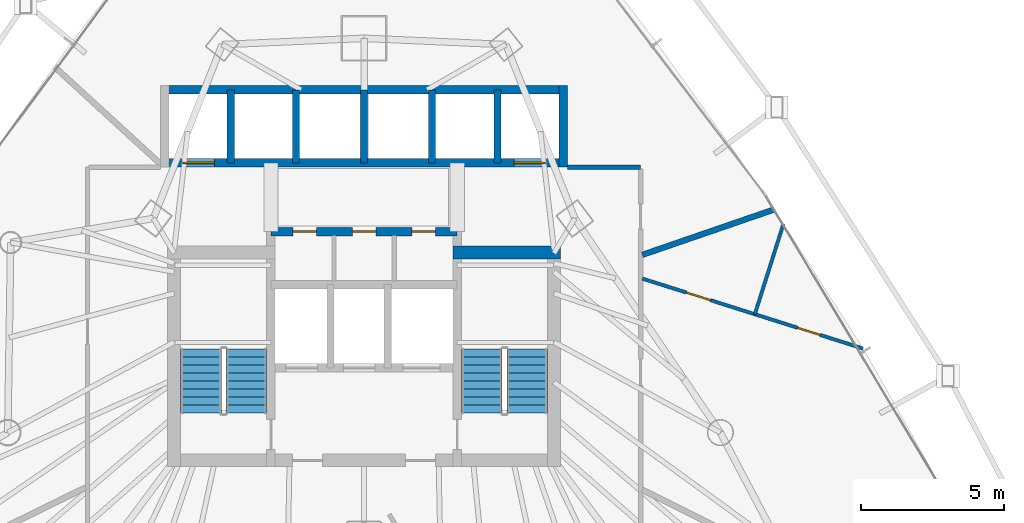
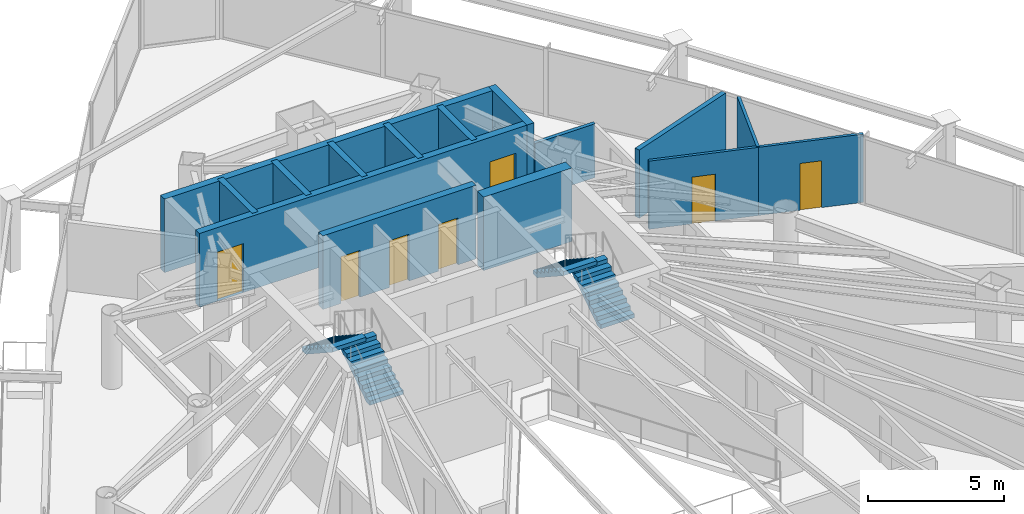
# One storey, part 31 of 35: 15 walls, 7 doors, 4 stair flights, 7 openings, 2 elements without a shape of their own.
"""IFC4 building model written with IfcOpenShell, lengths in metres."""

import ifcopenshell
import ifcopenshell.guid

model = None  # the IFC model being written
_history = None  # IfcOwnerHistory: only IFC2X3 demands one
_inside = {}  # id of a spatial element -> (the spatial element, [elements in it])
_under = {}  # id of a project, library or spatial element -> (it, [spatial elements below it])
_declared = {}  # id of a project -> (the project, [libraries it declares])
_typed = {}  # id of a type object -> (the type object, [elements of that type])
_made_of = {}  # id of a material, layer set ... -> (it, [elements and type objects made of it])


def new_model(schema):
    """Start an empty IFC model of exactly this schema.

    Asked for "IFC4X3", IfcOpenShell would pick the latest addendum, in which some entities
    have other attributes; the version numbers below select the first issue.
    IFC2X3 requires an IfcOwnerHistory on every rooted entity: one is made here for all.
    """
    global model, _history
    if schema == "IFC4X3":
        model = ifcopenshell.file(schema_version=(4, 3, 0, 0))
    else:
        model = ifcopenshell.file(schema=schema)
    _inside.clear()
    _under.clear()
    _declared.clear()
    _typed.clear()
    _made_of.clear()
    _history = None
    if model.schema == "IFC2X3":
        org = make("IfcOrganization", Name="unknown")
        user = make(
            "IfcPersonAndOrganization",
            ThePerson=make("IfcPerson", FamilyName="unknown"),
            TheOrganization=org,
        )
        app = make(
            "IfcApplication",
            ApplicationDeveloper=org,
            Version="unknown",
            ApplicationFullName="unknown",
            ApplicationIdentifier="unknown",
        )
        _history = make(
            "IfcOwnerHistory",
            OwningUser=user,
            OwningApplication=app,
            ChangeAction="ADDED",
            CreationDate=0,
        )
    return model


def make(cls, **values):
    """One entity of the class cls with the attributes given. An attribute that is None is left unset."""
    return model.create_entity(
        cls, **{name: value for name, value in values.items() if value is not None}
    )


def rooted(cls, **values):
    """An entity with a GlobalId (a new one), such as an element, a storey or a relation."""
    return make(cls, GlobalId=ifcopenshell.guid.new(), OwnerHistory=_history, **values)


def si_unit(unit_type, name, prefix=None):
    """IfcSIUnit, for example si_unit("LENGTHUNIT", "METRE", prefix="MILLI")."""
    return make("IfcSIUnit", UnitType=unit_type, Prefix=prefix, Name=name)


def assignment(units):
    """IfcUnitAssignment: the units of a project."""
    return None if units is None else make("IfcUnitAssignment", Units=units)


def point(xyz):
    """IfcCartesianPoint."""
    return None if xyz is None else make("IfcCartesianPoint", Coordinates=xyz)


def direction(xyz):
    """IfcDirection."""
    return None if xyz is None else make("IfcDirection", DirectionRatios=xyz)


def frame(location, z_axis=None, x_axis=None):
    """IfcAxis2Placement3D, a coordinate frame: its origin and axes. An axis left out is left unset."""
    return make(
        "IfcAxis2Placement3D",
        Location=point(location),
        Axis=direction(z_axis),
        RefDirection=direction(x_axis),
    )


def frame_2d(location, x_axis=None):
    """IfcAxis2Placement2D, a coordinate frame in the plane: its origin and x axis."""
    return make(
        "IfcAxis2Placement2D", Location=point(location), RefDirection=direction(x_axis)
    )


def origin():
    """The frame at (0, 0, 0) with its axes left unset."""
    return frame((0.0, 0.0, 0.0))


def place(relative_to, where):
    """IfcLocalPlacement: puts the frame where relative to a parent placement (None: the world)."""
    return make(
        "IfcLocalPlacement", PlacementRelTo=relative_to, RelativePlacement=where
    )


def context(
    kind, dimensions, precision=None, world=None, true_north=None, identifier=None
):
    """IfcGeometricRepresentationContext, for example the 3D "Model" context."""
    return make(
        "IfcGeometricRepresentationContext",
        ContextIdentifier=identifier,
        ContextType=kind,
        CoordinateSpaceDimension=dimensions,
        Precision=precision,
        WorldCoordinateSystem=world,
        TrueNorth=true_north,
    )


def subcontext(parent, identifier, kind, view, scale=None):
    """IfcGeometricRepresentationSubContext, for example "Body" below "Model"."""
    return make(
        "IfcGeometricRepresentationSubContext",
        ContextIdentifier=identifier,
        ContextType=kind,
        ParentContext=parent,
        TargetScale=scale,
        TargetView=view,
    )


def project(units=None, contexts=None):
    """IfcProject with its units and contexts."""
    return rooted(
        "IfcProject",
        Name="project",
        RepresentationContexts=contexts,
        UnitsInContext=assignment(units),
    )


def spatial(cls, under=None, at=None, **own):
    """A site, building, storey or space (cls), placed at a placement, below another one or the project."""
    s = rooted(cls, ObjectPlacement=at, **own)
    if under is not None:
        _under.setdefault(under.id(), (under, []))[1].append(s)
    return s


def polyline(points):
    """IfcPolyline through the points."""
    return make("IfcPolyline", Points=[point(p) for p in points])


def profile(cls, at=None, kind="AREA", **sizes):
    """A parametric profile (cls). Its sizes go by their IFC names, for example OverallWidth=200.0."""
    return make(cls, ProfileType=kind, Position=at, **sizes)


def rectangle(**sizes):
    """IfcRectangleProfileDef."""
    return profile("IfcRectangleProfileDef", **sizes)


def outline(outer, holes=None, kind="AREA"):
    """IfcArbitraryClosedProfileDef: a profile drawn as a closed curve; with holes, ...WithVoids."""
    if holes is None:
        return make("IfcArbitraryClosedProfileDef", ProfileType=kind, OuterCurve=outer)
    return make(
        "IfcArbitraryProfileDefWithVoids",
        ProfileType=kind,
        OuterCurve=outer,
        InnerCurves=holes,
    )


def extrude(swept, where, along, depth):
    """IfcExtrudedAreaSolid: the profile swept, set in the frame where, extruded along a direction by depth."""
    return make(
        "IfcExtrudedAreaSolid",
        SweptArea=swept,
        Position=where,
        ExtrudedDirection=direction(along),
        Depth=depth,
    )


def shape(context_of_items, identifier, shape_type, items):
    """IfcShapeRepresentation: the items that make up one representation, for example the "Body"."""
    return make(
        "IfcShapeRepresentation",
        ContextOfItems=context_of_items,
        RepresentationIdentifier=identifier,
        RepresentationType=shape_type,
        Items=items,
    )


def material(Name=None, Category=None):
    """IfcMaterial."""
    return make("IfcMaterial", Name=Name, Category=Category)


def layer(
    of_material, thickness, ventilated=None, Name=None, Category=None, Priority=None
):
    """IfcMaterialLayer: one layer of a wall or slab, of a material (None: an air gap)."""
    return make(
        "IfcMaterialLayer",
        Material=of_material,
        LayerThickness=thickness,
        IsVentilated=ventilated,
        Name=Name,
        Category=Category,
        Priority=Priority,
    )


def layer_set(layers, Name=None):
    """IfcMaterialLayerSet."""
    return make("IfcMaterialLayerSet", MaterialLayers=layers, LayerSetName=Name)


def made_of(thing, what):
    """Note that an element or type object is made of a material, layer set ...; save() writes the relation."""
    if what is not None:
        _made_of.setdefault(what.id(), (what, []))[1].append(thing)
    return thing


def type_object(cls, material=None, **own):
    """A type object (cls), such as IfcWallType, which elements share."""
    return made_of(rooted(cls, **own), material)


def element(
    cls,
    number,
    at=None,
    inside=None,
    cuts=None,
    type_object=None,
    material=None,
    context=None,
    identifier="Body",
    shape_type=None,
    held_by="IfcProductDefinitionShape",
    body=None,
    shapes=None,
    **own,
):
    """One element of the class cls, such as IfcWall. Its Tag is "e" and its number.

    at: its placement. inside: the storey or other place that contains it. cuts: it is an
    opening in that element (IfcRelVoidsElement). A single representation is given by context,
    identifier, shape_type and body (its items); several are given by shapes. held_by: the class
    of the entity that holds the representations. save() writes the other relations.
    """
    e = rooted(cls, Tag="e%d" % number, ObjectPlacement=at, **own)
    if body is not None:
        shapes = [shape(context, identifier, shape_type, body)]
    if shapes is not None:
        e.Representation = make(held_by, Representations=shapes)
    if inside is not None:
        _inside.setdefault(inside.id(), (inside, []))[1].append(e)
    if cuts is not None:
        rooted(
            "IfcRelVoidsElement", RelatingBuildingElement=cuts, RelatedOpeningElement=e
        )
    if type_object is not None:
        _typed.setdefault(type_object.id(), (type_object, []))[1].append(e)
    return made_of(e, material)


def fill(opening, filler):
    """IfcRelFillsElement: the door or window that sits in an opening."""
    return rooted(
        "IfcRelFillsElement",
        RelatingOpeningElement=opening,
        RelatedBuildingElement=filler,
    )


def aggregate(whole, parts):
    """IfcRelAggregates: a whole, such as a stair, and the parts it consists of."""
    return rooted("IfcRelAggregates", RelatingObject=whole, RelatedObjects=parts)


def save(model, path):
    """Write the relations noted so far, then the file.

    IfcRelAggregates (storeys below a building ...), IfcRelContainedInSpatialStructure (elements
    in a storey), IfcRelDefinesByType, IfcRelAssociatesMaterial and IfcRelDeclares: one each for
    every whole, place, type object, material and project.
    """
    for whole, parts in _under.values():
        aggregate(whole, parts)
    for where, things in _inside.values():
        rooted(
            "IfcRelContainedInSpatialStructure",
            RelatedElements=things,
            RelatingStructure=where,
        )
    for kind, things in _typed.values():
        rooted("IfcRelDefinesByType", RelatedObjects=things, RelatingType=kind)
    for what, things in _made_of.values():
        rooted("IfcRelAssociatesMaterial", RelatedObjects=things, RelatingMaterial=what)
    for by, libraries in _declared.values():
        rooted("IfcRelDeclares", RelatingContext=by, RelatedDefinitions=libraries)
    model.write(path)


model = new_model("IFC4")

# Units and contexts
model_context = context("Model", 3, precision=1e-05, world=origin(), true_north=direction((0.0, 1.0)))
body_context = subcontext(model_context, "Body", "Model", "MODEL_VIEW")
ifc_project = project(units=[si_unit("LENGTHUNIT", "METRE"), si_unit("AREAUNIT", "SQUARE_METRE"), si_unit("VOLUMEUNIT", "CUBIC_METRE"), si_unit("PLANEANGLEUNIT", "RADIAN"), si_unit("MASSUNIT", "GRAM", prefix="KILO")], contexts=[model_context])

# Site, building, storey
site_placement = place(None, origin())
site = spatial("IfcSite", under=ifc_project, at=site_placement, CompositionType="ELEMENT")
building_placement = place(site_placement, origin())
building = spatial("IfcBuilding", under=site, at=building_placement, Name="Orvanel Arch Residences", CompositionType="ELEMENT")
storey_placement = place(building_placement, frame((0.0, 0.0, 40.10009765625)))
storey = spatial("IfcBuildingStorey", under=building, at=storey_placement, Name="L10", CompositionType="ELEMENT", Elevation=40.10009765625)

# Walls
ifc_material_1 = material(Name="Concrete N50 (50 MPa)", Category="concrete")
ifc_layer_1 = layer(ifc_material_1, 0.25)
ifc_layer_set_1 = layer_set([ifc_layer_1], Name="Concrete N50 (50 MPa)")
wall_type_1 = type_object("IfcWallType", Name="SW-CORE-250", PredefinedType="SHEAR", material=ifc_layer_set_1)
for number, where, z_axis, x_axis, name in (
    (1, (28.35009765625, 37.050048828125, 0.0), (0.0, 0.0, 1.0), (0.0, 1.0, 0.0), "L10 Passenger Lift Inter-Shaft Wall P13"),
    (2, (30.625, 37.050048828125, 0.0), (0.0, 0.0, 1.0), (0.0, 1.0, 0.0), "L10 Passenger Lift Inter-Shaft Wall P35"),
    (3, (33.0, 37.050048828125, 0.0), (0.0, 0.0, 1.0), (0.0, 1.0, 0.0), "L10 Passenger Lift Inter-Shaft Wall P56"),
    (4, (35.375, 37.050048828125, 0.0), (0.0, 0.0, 1.0), (0.0, 1.0, 0.0), "L10 Passenger Lift Inter-Shaft Wall P64"),
    (5, (37.64990234375, 37.050048828125, 0.0), (0.0, 0.0, 1.0), (0.0, 1.0, 0.0), "L10 Passenger Lift Inter-Shaft Wall P42"),
):
    element("IfcWall", number, at=place(storey_placement, frame(where, z_axis=z_axis, x_axis=x_axis)), inside=storey, type_object=wall_type_1, Name=name, PredefinedType="SHEAR", context=body_context, shape_type="SweptSolid", body=[
        extrude(rectangle(XDim=2.550048828125, YDim=0.25, at=frame_2d((1.27490234375, 0.0))), origin(), (0.0, 0.0, 1.0), 3.2998046875),
    ])

# Wall, openings, doors
ifc_material_2 = material(Name="Concrete S80 (80 MPa)", Category="concrete")
ifc_layer_2 = layer(ifc_material_2, 0.300048828125)
ifc_layer_set_2 = layer_set([ifc_layer_2], Name="Concrete S80 (80 MPa)")
wall_type_2 = type_object("IfcWallType", Name="SW-CORE-300", PredefinedType="SHEAR", material=ifc_layer_set_2)
wall_1_placement = place(storey_placement, frame((29.75, 34.64990234375, 0.0), z_axis=(0.0, 0.0, 1.0), x_axis=(1.0, 0.0, 0.0)))
wall_1 = element("IfcWall", 6, at=wall_1_placement, inside=storey, type_object=wall_type_2, Name="L10 Core Service Band North Shear Wall", PredefinedType="SHEAR", context=body_context, shape_type="SweptSolid", body=[
    extrude(rectangle(XDim=6.5, YDim=0.300048828125, at=frame_2d((3.25, 0.0))), origin(), (0.0, 0.0, 1.0), 3.2998046875),
])
opening_1_placement = place(wall_1_placement, frame((0.764892578125, 0.0, 0.0)))
opening_1 = element("IfcOpeningElement", 7, at=opening_1_placement, cuts=wall_1, Name="Opening DS-082", PredefinedType="OPENING", context=body_context, shape_type="SweptSolid", body=[
    extrude(rectangle(XDim=0.820068359375, YDim=2.10009765625, at=frame_2d((0.41015625, 1.050048828125))), frame((0.0, 0.159912109375, 0.0), z_axis=(0.0, -1.0, 0.0), x_axis=(1.0, 0.0, 0.0)), (0.0, 0.0, 1.0), 0.320068359375),
])
opening_2_placement = place(wall_1_placement, frame((2.840087890625, 0.0, 0.0)))
opening_2 = element("IfcOpeningElement", 8, at=opening_2_placement, cuts=wall_1, Name="Opening DS-082", PredefinedType="OPENING", context=body_context, shape_type="SweptSolid", body=[
    extrude(rectangle(XDim=0.820068359375, YDim=2.10009765625, at=frame_2d((0.41015625, 1.050048828125))), frame((0.0, 0.159912109375, 0.0), z_axis=(0.0, -1.0, 0.0), x_axis=(1.0, 0.0, 0.0)), (0.0, 0.0, 1.0), 0.320068359375),
])
opening_3_placement = place(wall_1_placement, frame((4.9150390625, 0.0, 0.0)))
opening_3 = element("IfcOpeningElement", 9, at=opening_3_placement, cuts=wall_1, Name="Opening DS-082", PredefinedType="OPENING", context=body_context, shape_type="SweptSolid", body=[
    extrude(rectangle(XDim=0.820068359375, YDim=2.10009765625, at=frame_2d((0.41015625, 1.050048828125))), frame((0.0, 0.159912109375, 0.0), z_axis=(0.0, -1.0, 0.0), x_axis=(1.0, 0.0, 0.0)), (0.0, 0.0, 1.0), 0.320068359375),
])
ifc_material_3 = material(Name="Galvanised steel fire-resisting door assembly", Category="steel")
door_type_1 = type_object("IfcDoorType", Name="DR-SVC-820", OperationType="NOTDEFINED", PredefinedType="DOOR", material=ifc_material_3)
door_1_placement = place(opening_1_placement, origin())
door_1 = element("IfcDoor", 10, at=door_1_placement, inside=storey, type_object=door_type_1, Name="DR-L10-CSVC-1 L10 Housekeeping Store Door", OperationType="SINGLE_SWING_LEFT", OverallHeight=2.10009765625, OverallWidth=0.820068359375, PredefinedType="DOOR", context=body_context, shape_type="SweptSolid", body=[
    extrude(rectangle(XDim=0.820068359375, YDim=2.10009765625, at=frame_2d((0.41015625, 1.050048828125))), frame((0.0, 0.02490234375, 0.0), z_axis=(0.0, -1.0, 0.0), x_axis=(1.0, 0.0, 0.0)), (0.0, 0.0, 1.0), 0.050048828125),
])
fill(opening_1, door_1)
door_2_placement = place(opening_2_placement, origin())
door_2 = element("IfcDoor", 11, at=door_2_placement, inside=storey, type_object=door_type_1, Name="DR-L10-CSVC-2 L10 Cleaner's Store Door", OperationType="SINGLE_SWING_LEFT", OverallHeight=2.10009765625, OverallWidth=0.820068359375, PredefinedType="DOOR", context=body_context, shape_type="SweptSolid", body=[
    extrude(rectangle(XDim=0.820068359375, YDim=2.10009765625, at=frame_2d((0.41015625, 1.050048828125))), frame((0.0, 0.02490234375, 0.0), z_axis=(0.0, -1.0, 0.0), x_axis=(1.0, 0.0, 0.0)), (0.0, 0.0, 1.0), 0.050048828125),
])
fill(opening_2, door_2)
door_3_placement = place(opening_3_placement, origin())
door_3 = element("IfcDoor", 12, at=door_3_placement, inside=storey, type_object=door_type_1, Name="DR-L10-CSVC-3 L10 Comms Riser Store Door", OperationType="SINGLE_SWING_LEFT", OverallHeight=2.10009765625, OverallWidth=0.820068359375, PredefinedType="DOOR", context=body_context, shape_type="SweptSolid", body=[
    extrude(rectangle(XDim=0.820068359375, YDim=2.10009765625, at=frame_2d((0.41015625, 1.050048828125))), frame((0.0, 0.02490234375, 0.0), z_axis=(0.0, -1.0, 0.0), x_axis=(1.0, 0.0, 0.0)), (0.0, 0.0, 1.0), 0.050048828125),
])
fill(opening_3, door_3)

wall_2_placement = place(storey_placement, frame((40.10009765625, 37.050048828125, 0.0), z_axis=(0.0, 0.0, 1.0), x_axis=(-1.0, 0.0, 0.0)))
wall_2 = element("IfcWall", 13, at=wall_2_placement, inside=storey, type_object=wall_type_2, Name="L10 Passenger Lift Bank Front Shear Wall", PredefinedType="SHEAR", context=body_context, shape_type="SweptSolid", body=[
    extrude(rectangle(XDim=14.2001953125, YDim=0.300048828125, at=frame_2d((7.10009765625, 0.0))), origin(), (0.0, 0.0, 1.0), 3.2998046875),
])
opening_4_placement = place(wall_2_placement, frame((12.324951171875, 0.0, 0.0)))
opening_4 = element("IfcOpeningElement", 14, at=opening_4_placement, cuts=wall_2, Name="Opening LD-110", PredefinedType="OPENING", context=body_context, shape_type="SweptSolid", body=[
    extrude(rectangle(XDim=1.10009765625, YDim=2.199951171875, at=frame_2d((0.550048828125, 1.10009765625))), frame((0.0, 0.159912109375, 0.0), z_axis=(0.0, -1.0, 0.0), x_axis=(1.0, 0.0, 0.0)), (0.0, 0.0, 1.0), 0.320068359375),
])
opening_5_placement = place(wall_2_placement, frame((0.77490234375, 0.0, 0.0)))
opening_5 = element("IfcOpeningElement", 15, at=opening_5_placement, cuts=wall_2, Name="Opening LD-110", PredefinedType="OPENING", context=body_context, shape_type="SweptSolid", body=[
    extrude(rectangle(XDim=1.10009765625, YDim=2.199951171875, at=frame_2d((0.550048828125, 1.10009765625))), frame((0.0, 0.159912109375, 0.0), z_axis=(0.0, -1.0, 0.0), x_axis=(1.0, 0.0, 0.0)), (0.0, 0.0, 1.0), 0.320068359375),
])
door_type_2 = type_object("IfcDoorType", Name="DR-LFT-1100", OperationType="NOTDEFINED", PredefinedType="DOOR", material=ifc_material_3)
door_4_placement = place(opening_4_placement, origin())
door_4 = element("IfcDoor", 16, at=door_4_placement, inside=storey, type_object=door_type_2, Name="LD-P1-L10 L10 Passenger Lift P1 Sliding Landing Door", OperationType="DOUBLE_DOOR_SLIDING", OverallHeight=2.199951171875, OverallWidth=1.10009765625, PredefinedType="DOOR", context=body_context, shape_type="SweptSolid", body=[
    extrude(rectangle(XDim=1.10009765625, YDim=2.199951171875, at=frame_2d((0.550048828125, 1.10009765625))), frame((0.0, 0.02490234375, 0.0), z_axis=(0.0, -1.0, 0.0), x_axis=(1.0, 0.0, 0.0)), (0.0, 0.0, 1.0), 0.050048828125),
])
fill(opening_4, door_4)
door_5_placement = place(opening_5_placement, origin())
door_5 = element("IfcDoor", 17, at=door_5_placement, inside=storey, type_object=door_type_2, Name="LD-P2-L10 L10 Passenger Lift P2 Sliding Landing Door", OperationType="DOUBLE_DOOR_SLIDING", OverallHeight=2.199951171875, OverallWidth=1.10009765625, PredefinedType="DOOR", context=body_context, shape_type="SweptSolid", body=[
    extrude(rectangle(XDim=1.10009765625, YDim=2.199951171875, at=frame_2d((0.550048828125, 1.10009765625))), frame((0.0, 0.02490234375, 0.0), z_axis=(0.0, -1.0, 0.0), x_axis=(1.0, 0.0, 0.0)), (0.0, 0.0, 1.0), 0.050048828125),
])
fill(opening_5, door_5)

# Walls
wall_3_placement = place(storey_placement, frame((25.89990234375, 39.60009765625, 0.0), z_axis=(0.0, 0.0, 1.0), x_axis=(1.0, 0.0, 0.0)))
element("IfcWall", 18, at=wall_3_placement, inside=storey, type_object=wall_type_2, Name="L10 Passenger Lift Bank North Shear Wall", PredefinedType="SHEAR", context=body_context, shape_type="SweptSolid", body=[
    extrude(rectangle(XDim=14.2001953125, YDim=0.300048828125, at=frame_2d((7.10009765625, 0.0))), origin(), (0.0, 0.0, 1.0), 3.2998046875),
])
wall_4_placement = place(storey_placement, frame((39.949951171875, 36.89990234375, 0.0), z_axis=(0.0, 0.0, 1.0), x_axis=(0.0, 1.0, 0.0)))
element("IfcWall", 19, at=wall_4_placement, inside=storey, type_object=wall_type_2, Name="L10 Passenger Lift Bank East Shear Wall", PredefinedType="SHEAR", context=body_context, shape_type="SweptSolid", body=[
    extrude(rectangle(XDim=2.85009765625, YDim=0.300048828125, at=frame_2d((1.425048828125, 0.0))), origin(), (0.0, 0.0, 1.0), 3.2998046875),
])
ifc_layer_3 = layer(ifc_material_2, 0.449951171875)
ifc_layer_set_3 = layer_set([ifc_layer_3], Name="Concrete S80 (80 MPa)")
wall_type_3 = type_object("IfcWallType", Name="SW-CORE-450", PredefinedType="SHEAR", material=ifc_layer_set_3)
wall_5_placement = place(storey_placement, frame((36.10009765625, 33.925048828125, 0.0), z_axis=(0.0, 0.0, 1.0), x_axis=(1.0, 0.0, 0.0)))
element("IfcWall", 20, at=wall_5_placement, inside=storey, type_object=wall_type_3, Name="L10 East Stair North Shear Wall", PredefinedType="SHEAR", context=body_context, shape_type="SweptSolid", body=[
    extrude(rectangle(XDim=3.75, YDim=0.449951171875, at=frame_2d((1.875, 0.0))), origin(), (0.0, 0.0, 1.0), 3.2998046875),
])
ifc_material_4 = material(Name="Fire-rated plasterboard lined steel stud partition", Category="steel")
ifc_layer_4 = layer(ifc_material_4, 0.14990234375)
ifc_layer_set_4 = layer_set([ifc_layer_4], Name="Fire-rated plasterboard lined steel stud partition")
wall_type_4 = type_object("IfcWallType", Name="W-COR-150", PredefinedType="PARTITIONING", material=ifc_layer_set_4)
wall_6_placement = place(storey_placement, frame((40.10009765625, 36.89990234375, 0.0), z_axis=(0.0, 0.0, 1.0), x_axis=(1.0, 0.0, 0.0)))
element("IfcWall", 21, at=wall_6_placement, inside=storey, type_object=wall_type_4, Name="L10 Corridor Fire-Rated Partition", PredefinedType="PARTITIONING", context=body_context, shape_type="SweptSolid", body=[
    extrude(rectangle(XDim=2.5498046875, YDim=0.14990234375, at=frame_2d((1.27490234375, 0.0))), origin(), (0.0, 0.0, 1.0), 2.412841796875),
])
ifc_layer_5 = layer(ifc_material_4, 0.199951171875)
ifc_layer_set_5 = layer_set([ifc_layer_5], Name="Fire-rated plasterboard lined steel stud partition")
wall_type_5 = type_object("IfcWallType", Name="W-DEM-200", PredefinedType="PARTITIONING", material=ifc_layer_set_5)
wall_7_placement = place(storey_placement, frame((47.303955078125, 35.425048828125, 0.0), z_axis=(0.0, 0.0, 1.0), x_axis=(-0.945506397197, -0.325603520956, 0.0)))
element("IfcWall", 22, at=wall_7_placement, inside=storey, type_object=wall_type_5, Name="L10 Inter-Tenancy Acoustic Demising Wall", PredefinedType="PARTITIONING", context=body_context, shape_type="SweptSolid", body=[
    extrude(rectangle(XDim=4.85888671875, YDim=0.199951171875, at=frame_2d((2.429443359375, 0.0))), origin(), (0.0, 0.0, 1.0), 3.059814453125),
])

# Wall, opening, door
ifc_material_5 = material(Name="Acoustic plasterboard lined twin-stud partition", Category="gypsum")
ifc_layer_6 = layer(ifc_material_5, 0.1201171875)
ifc_layer_set_6 = layer_set([ifc_layer_6], Name="Acoustic plasterboard lined twin-stud partition")
wall_type_6 = type_object("IfcWallType", Name="W-WET-120", PredefinedType="PARTITIONING", material=ifc_layer_set_6)
wall_8_placement = place(storey_placement, frame((46.633056640625, 31.77099609375, 0.0), z_axis=(0.0, 0.0, 1.0), x_axis=(0.953252758263, -0.302174087016, 0.0)))
wall_8 = element("IfcWall", 23, at=wall_8_placement, inside=storey, type_object=wall_type_6, Name="L10 Studio I Bathroom Partition", PredefinedType="PARTITIONING", context=body_context, shape_type="SweptSolid", body=[
    extrude(rectangle(XDim=3.954833984375, YDim=0.1201171875, at=frame_2d((1.9775390625, 0.0))), origin(), (0.0, 0.0, 1.0), 3.059814453125),
])
opening_6_placement = place(wall_8_placement, frame((1.56689453125, 0.0, 0.0)))
opening_6 = element("IfcOpeningElement", 24, at=opening_6_placement, cuts=wall_8, Name="Opening DW-082", PredefinedType="OPENING", context=body_context, shape_type="SweptSolid", body=[
    extrude(rectangle(XDim=0.820068359375, YDim=2.10009765625, at=frame_2d((0.41015625, 1.050048828125))), frame((0.0, 0.070068359375, 0.0), z_axis=(0.0, -1.0, 0.0), x_axis=(1.0, 0.0, 0.0)), (0.0, 0.0, 1.0), 0.14013671875),
])
ifc_material_6 = material(Name="Solid-core European oak veneer fire door leaf", Category="wood")
door_type_3 = type_object("IfcDoorType", Name="DR-WET-820", OperationType="NOTDEFINED", PredefinedType="DOOR", material=ifc_material_6)
door_6_placement = place(opening_6_placement, origin())
door_6 = element("IfcDoor", 25, at=door_6_placement, inside=storey, type_object=door_type_3, Name="DR-L10-I-BATH L10 Studio I Bathroom Door", OperationType="SINGLE_SWING_RIGHT", OverallHeight=2.10009765625, OverallWidth=0.820068359375, PredefinedType="DOOR", context=body_context, shape_type="SweptSolid", body=[
    extrude(rectangle(XDim=0.820068359375, YDim=2.10009765625, at=frame_2d((0.41015625, 1.050048828125))), frame((0.0, 0.02490234375, 0.0), z_axis=(0.0, -1.0, 0.0), x_axis=(1.0, 0.0, 0.0)), (0.0, 0.0, 1.0), 0.050048828125),
])
fill(opening_6, door_6)

wall_9_placement = place(storey_placement, frame((42.7099609375, 33.013916015625, 0.0), z_axis=(0.0, 0.0, 1.0), x_axis=(0.953299814988, -0.302025599484, 0.0)))
wall_9 = element("IfcWall", 26, at=wall_9_placement, inside=storey, type_object=wall_type_6, Name="L10 Studio I Internal Partition", PredefinedType="PARTITIONING", context=body_context, shape_type="SweptSolid", body=[
    extrude(rectangle(XDim=4.115234375, YDim=0.1201171875, at=frame_2d((2.0576171875, 0.0))), origin(), (0.0, 0.0, 1.0), 3.059814453125),
])
opening_7_placement = place(wall_9_placement, frame((1.617919921875, 0.0, 0.0)))
opening_7 = element("IfcOpeningElement", 27, at=opening_7_placement, cuts=wall_9, Name="Opening DI-088", PredefinedType="OPENING", context=body_context, shape_type="SweptSolid", body=[
    extrude(rectangle(XDim=0.8798828125, YDim=2.10009765625, at=frame_2d((0.43994140625, 1.050048828125))), frame((0.0, 0.070068359375, 0.0), z_axis=(0.0, -1.0, 0.0), x_axis=(1.0, 0.0, 0.0)), (0.0, 0.0, 1.0), 0.14013671875),
])
door_type_4 = type_object("IfcDoorType", Name="DR-INT-880", OperationType="NOTDEFINED", PredefinedType="DOOR", material=ifc_material_6)
door_7_placement = place(opening_7_placement, origin())
door_7 = element("IfcDoor", 28, at=door_7_placement, inside=storey, type_object=door_type_4, Name="DR-L10-I-KIT L10 Studio I Kitchenette Door", OperationType="SINGLE_SWING_LEFT", OverallHeight=2.10009765625, OverallWidth=0.8798828125, PredefinedType="DOOR", context=body_context, shape_type="SweptSolid", body=[
    extrude(rectangle(XDim=0.8798828125, YDim=2.10009765625, at=frame_2d((0.43994140625, 1.050048828125))), frame((0.0, 0.02490234375, 0.0), z_axis=(0.0, -1.0, 0.0), x_axis=(1.0, 0.0, 0.0)), (0.0, 0.0, 1.0), 0.050048828125),
])
fill(opening_7, door_7)

# Wall
wall_10_placement = place(storey_placement, frame((46.633056640625, 31.77099609375, 0.0), z_axis=(0.0, 0.0, 1.0), x_axis=(0.301799891186, 0.953371294764, 0.0)))
element("IfcWall", 29, at=wall_10_placement, inside=storey, type_object=wall_type_6, Name="L10 Studio I Bathroom Partition", PredefinedType="PARTITIONING", context=body_context, shape_type="SweptSolid", body=[
    extrude(rectangle(XDim=3.302978515625, YDim=0.1201171875, at=frame_2d((1.6513671875, 0.0))), origin(), (0.0, 0.0, 1.0), 3.059814453125),
])

# Stair, stair flights
ifc_material_7 = material(Name="Precast concrete N50 (50 MPa)", Category="concrete")
stair_type = type_object("IfcStairType", Name="STR-DOG-184", PredefinedType="USERDEFINED", material=ifc_material_7)
stair_1_placement = place(storey_placement, origin())
stair_1 = element("IfcStair", 30, at=stair_1_placement, inside=storey, type_object=stair_type, Name="L10 Fire-Isolated Core Exit Stair 1", ObjectType="TWO_RETURN_STAIR", PredefinedType="USERDEFINED")
stair_flight_type_1 = type_object("IfcStairFlightType", Name="SFL-C1-184", PredefinedType="STRAIGHT", material=ifc_material_7)
stair_flight_1_placement = place(storey_placement, frame((28.889892578125, 28.320068359375, 0.0), z_axis=(0.0, 0.0, 1.0), x_axis=(0.0, 1.0, 0.0)))
stair_flight_1 = element("IfcStairFlight", 31, at=stair_flight_1_placement, type_object=stair_flight_type_1, Name="ST-1 flight 1", NumberOfRisers=9, NumberOfTreads=8, PredefinedType="STRAIGHT", RiserHeight=0.183333333, TreadLength=0.28, context=body_context, shape_type="SweptSolid", body=[
    extrude(outline(polyline([(0.0, 0.0), (0.0, 0.183349609375), (0.280029296875, 0.183349609375), (0.280029296875, 0.36669921875), (0.56005859375, 0.36669921875), (0.56005859375, 0.550048828125), (0.840087890625, 0.550048828125), (0.840087890625, 0.7333984375), (1.1201171875, 0.7333984375), (1.1201171875, 0.916748046875), (1.39990234375, 0.916748046875), (1.39990234375, 1.10009765625), (1.679931640625, 1.10009765625), (1.679931640625, 1.283447265625), (1.9599609375, 1.283447265625), (1.9599609375, 1.466552734375), (2.239990234375, 1.466552734375), (2.239990234375, 1.64990234375), (2.239990234375, 1.28759765625), (0.273681640625, 0.0), (0.0, 0.0)])), frame((0.0, 0.7099609375, 0.0), z_axis=(0.0, -1.0, 0.0), x_axis=(1.0, 0.0, 0.0)), (0.0, 0.0, 1.0), 1.419921875),
])
stair_flight_2_placement = place(storey_placement, frame((27.31005859375, 30.56005859375, 1.64990234375), z_axis=(0.0, 0.0, 1.0), x_axis=(0.0, -1.0, 0.0)))
stair_flight_2 = element("IfcStairFlight", 32, at=stair_flight_2_placement, type_object=stair_flight_type_1, Name="ST-1 flight 2", NumberOfRisers=9, NumberOfTreads=8, PredefinedType="STRAIGHT", RiserHeight=0.183333333, TreadLength=0.28, context=body_context, shape_type="SweptSolid", body=[
    extrude(outline(polyline([(0.0, 0.0), (0.0, 0.183349609375), (0.280029296875, 0.183349609375), (0.280029296875, 0.36669921875), (0.56005859375, 0.36669921875), (0.56005859375, 0.550048828125), (0.840087890625, 0.550048828125), (0.840087890625, 0.7333984375), (1.1201171875, 0.7333984375), (1.1201171875, 0.916748046875), (1.39990234375, 0.916748046875), (1.39990234375, 1.10009765625), (1.679931640625, 1.10009765625), (1.679931640625, 1.283447265625), (1.9599609375, 1.283447265625), (1.9599609375, 1.466552734375), (2.239990234375, 1.466552734375), (2.239990234375, 1.64990234375), (2.239990234375, 1.28759765625), (0.273681640625, 0.0), (0.0, 0.0)])), frame((0.0, 0.7099609375, 0.0), z_axis=(0.0, -1.0, 0.0), x_axis=(1.0, 0.0, 0.0)), (0.0, 0.0, 1.0), 1.419921875),
])
aggregate(stair_1, [stair_flight_1, stair_flight_2])

stair_2_placement = place(storey_placement, origin())
stair_2 = element("IfcStair", 33, at=stair_2_placement, inside=storey, type_object=stair_type, Name="L10 Fire-Isolated Core Exit Stair 2", ObjectType="TWO_RETURN_STAIR", PredefinedType="USERDEFINED")
stair_flight_type_2 = type_object("IfcStairFlightType", Name="SFL-C2-184", PredefinedType="STRAIGHT", material=ifc_material_7)
stair_flight_3_placement = place(storey_placement, frame((38.68994140625, 28.320068359375, 0.0), z_axis=(0.0, 0.0, 1.0), x_axis=(0.0, 1.0, 0.0)))
stair_flight_3 = element("IfcStairFlight", 34, at=stair_flight_3_placement, type_object=stair_flight_type_2, Name="ST-2 flight 1", NumberOfRisers=9, NumberOfTreads=8, PredefinedType="STRAIGHT", RiserHeight=0.183333333, TreadLength=0.28, context=body_context, shape_type="SweptSolid", body=[
    extrude(outline(polyline([(0.0, 0.0), (0.0, 0.183349609375), (0.280029296875, 0.183349609375), (0.280029296875, 0.36669921875), (0.56005859375, 0.36669921875), (0.56005859375, 0.550048828125), (0.840087890625, 0.550048828125), (0.840087890625, 0.7333984375), (1.1201171875, 0.7333984375), (1.1201171875, 0.916748046875), (1.39990234375, 0.916748046875), (1.39990234375, 1.10009765625), (1.679931640625, 1.10009765625), (1.679931640625, 1.283447265625), (1.9599609375, 1.283447265625), (1.9599609375, 1.466552734375), (2.239990234375, 1.466552734375), (2.239990234375, 1.64990234375), (2.239990234375, 1.28759765625), (0.273681640625, 0.0), (0.0, 0.0)])), frame((0.0, 0.7099609375, 0.0), z_axis=(0.0, -1.0, 0.0), x_axis=(1.0, 0.0, 0.0)), (0.0, 0.0, 1.0), 1.419921875),
])
stair_flight_4_placement = place(storey_placement, frame((37.110107421875, 30.56005859375, 1.64990234375), z_axis=(0.0, 0.0, 1.0), x_axis=(0.0, -1.0, 0.0)))
stair_flight_4 = element("IfcStairFlight", 35, at=stair_flight_4_placement, type_object=stair_flight_type_2, Name="ST-2 flight 2", NumberOfRisers=9, NumberOfTreads=8, PredefinedType="STRAIGHT", RiserHeight=0.183333333, TreadLength=0.28, context=body_context, shape_type="SweptSolid", body=[
    extrude(outline(polyline([(0.0, 0.0), (0.0, 0.183349609375), (0.280029296875, 0.183349609375), (0.280029296875, 0.36669921875), (0.56005859375, 0.36669921875), (0.56005859375, 0.550048828125), (0.840087890625, 0.550048828125), (0.840087890625, 0.7333984375), (1.1201171875, 0.7333984375), (1.1201171875, 0.916748046875), (1.39990234375, 0.916748046875), (1.39990234375, 1.10009765625), (1.679931640625, 1.10009765625), (1.679931640625, 1.283447265625), (1.9599609375, 1.283447265625), (1.9599609375, 1.466552734375), (2.239990234375, 1.466552734375), (2.239990234375, 1.64990234375), (2.239990234375, 1.28759765625), (0.273681640625, 0.0), (0.0, 0.0)])), frame((0.0, 0.7099609375, 0.0), z_axis=(0.0, -1.0, 0.0), x_axis=(1.0, 0.0, 0.0)), (0.0, 0.0, 1.0), 1.419921875),
])
aggregate(stair_2, [stair_flight_3, stair_flight_4])

save(model, "model.ifc")
